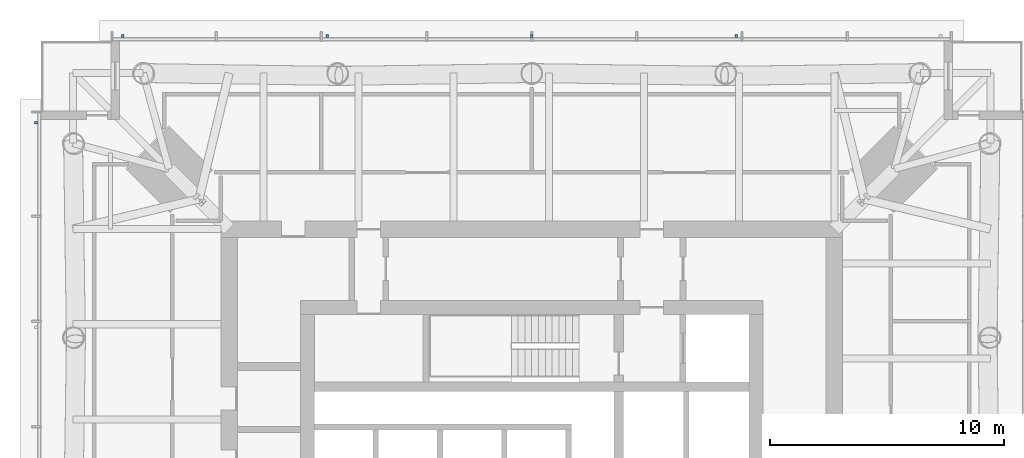
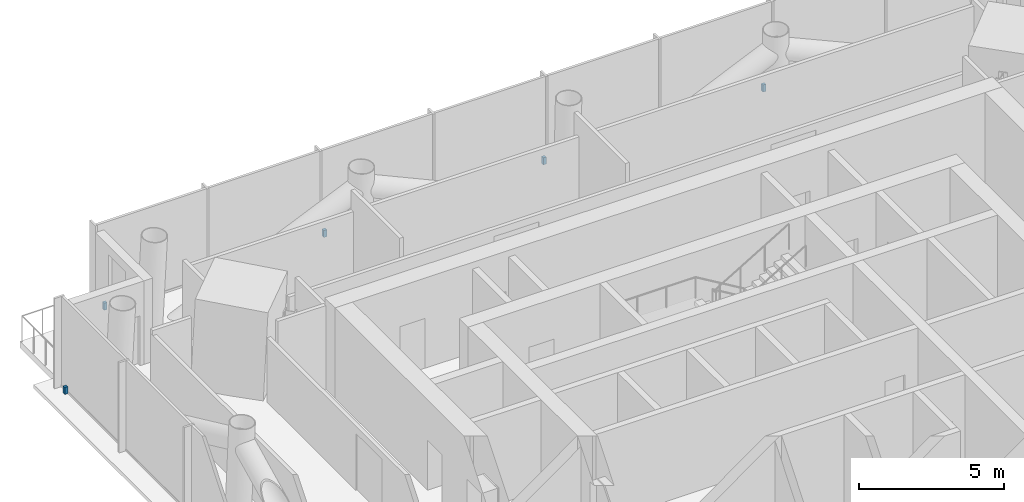
# One storey, part 10 of 13: 5 discrete accessories.
"""IFC4 building model written with IfcOpenShell, lengths in metres."""

from ifc_helpers import new_model, si_unit, direction, frame, origin, origin_2d, place, context, subcontext, project, spatial, rectangle, extrude, material, type_object, element, save


model = new_model("IFC4")

# Units and contexts
model_context = context("Model", 3, precision=1e-05, world=origin(), true_north=direction((0.0, 1.0)))
body_context = subcontext(model_context, "Body", "Model", "MODEL_VIEW")
ifc_project = project(units=[si_unit("LENGTHUNIT", "METRE"), si_unit("AREAUNIT", "SQUARE_METRE"), si_unit("VOLUMEUNIT", "CUBIC_METRE"), si_unit("PLANEANGLEUNIT", "RADIAN"), si_unit("MASSUNIT", "GRAM", prefix="KILO")], contexts=[model_context])

# Site, building, storey
site_placement = place(None, origin())
site = spatial("IfcSite", under=ifc_project, at=site_placement, CompositionType="ELEMENT")
building_placement = place(site_placement, origin())
building = spatial("IfcBuilding", under=site, at=building_placement, Name="Ostroluk Exchange", CompositionType="ELEMENT")
storey_placement = place(building_placement, frame((0.0, 0.0, 157.800048828125)))
storey = spatial("IfcBuildingStorey", under=building, at=storey_placement, Name="L40", CompositionType="ELEMENT", Elevation=157.800048828125)

# Discrete accessories
ifc_material = material(Name="Stainless steel", Category="steel")
discrete_accessory_type = type_object("IfcDiscreteAccessoryType", Name="Fall-arrest anchor PN-EN 795 type C", PredefinedType="USERDEFINED", material=ifc_material)
for number, where, z_axis, x_axis, name in (
    (1, (27.5, 67.2099609375, 0.0), (0.0, 0.0, 1.0), (1.0, 0.0, 0.0), "Fall-arrest anchor L40 north 1"),
    (2, (36.25, 67.2099609375, 0.0), (0.0, 0.0, 1.0), (1.0, 0.0, 0.0), "Fall-arrest anchor L40 north 2"),
    (3, (45.0, 67.2099609375, 0.0), (0.0, 0.0, 1.0), (1.0, 0.0, 0.0), "Fall-arrest anchor L40 north 3"),
    (4, (53.75, 67.2099609375, 0.0), (0.0, 0.0, 1.0), (1.0, 0.0, 0.0), "Fall-arrest anchor L40 north 4"),
    (5, (23.7900390625, 63.5, 0.0), (0.0, 0.0, 1.0), (1.0, 0.0, 0.0), "Fall-arrest anchor L40 west 5"),
):
    element("IfcDiscreteAccessory", number, at=place(storey_placement, frame(where, z_axis=z_axis, x_axis=x_axis)), inside=storey, type_object=discrete_accessory_type, Name=name, ObjectType="FALL ARREST ANCHOR", PredefinedType="USERDEFINED", context=body_context, shape_type="SweptSolid", body=[
        extrude(rectangle(XDim=0.1201171875, YDim=0.1201171875, at=origin_2d()), origin(), (0.0, 0.0, 1.0), 0.300048828125),
    ])

save(model, "model.ifc")
